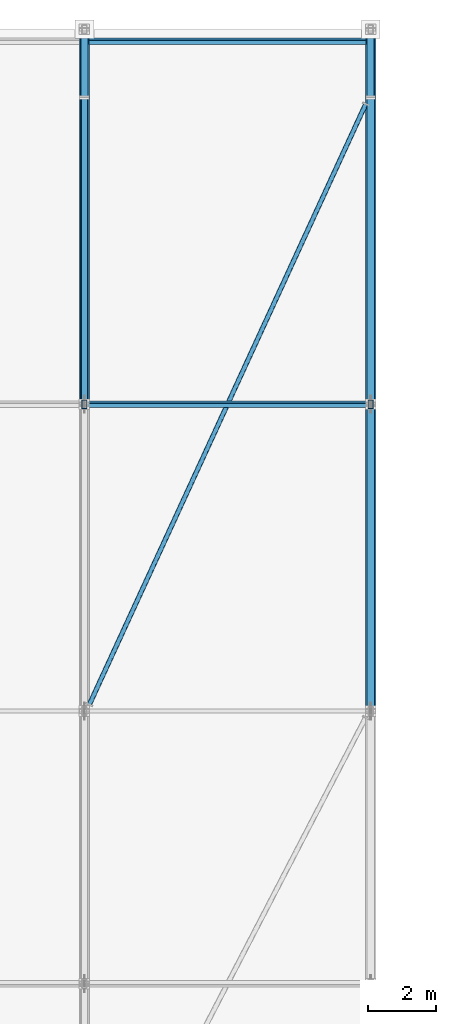
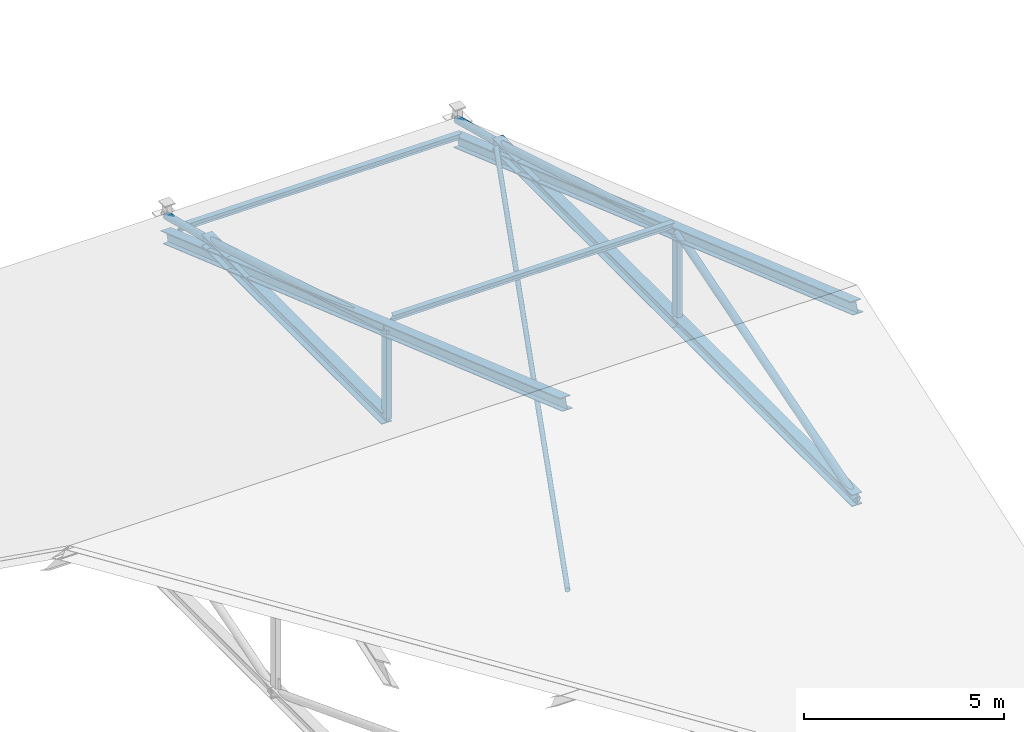
# One storey, part 18 of 57: 13 members, 2 beams.
"""IFC4 building model written with IfcOpenShell, lengths in metres."""

from ifc_helpers import new_model, si_unit, direction, frame, origin, origin_2d, place, context, subcontext, project, spatial, hollow_rectangle, hollow_circle, i_section, extrude, material, material_profile, profile_set, type_object, element, save


model = new_model("IFC4")

# Units and contexts
model_context = context("Model", 3, precision=1e-05, world=origin(), true_north=direction((0.0, 1.0)))
body_context = subcontext(model_context, "Body", "Model", "MODEL_VIEW")
ifc_project = project(units=[si_unit("LENGTHUNIT", "METRE"), si_unit("AREAUNIT", "SQUARE_METRE"), si_unit("VOLUMEUNIT", "CUBIC_METRE"), si_unit("PLANEANGLEUNIT", "RADIAN"), si_unit("MASSUNIT", "GRAM", prefix="KILO")], contexts=[model_context])

# Site, building, storey
site_placement = place(None, origin())
site = spatial("IfcSite", under=ifc_project, at=site_placement, CompositionType="ELEMENT")
building_placement = place(site_placement, origin())
building = spatial("IfcBuilding", under=site, at=building_placement, Name="Kelarvand Opera House", CompositionType="ELEMENT")
storey_placement = place(building_placement, frame((0.0, 0.0, 33.60009765625)))
storey = spatial("IfcBuildingStorey", under=building, at=storey_placement, Name="Roof", CompositionType="ELEMENT", Elevation=33.60009765625)

# Members
ifc_material = material(Name="Steel S355", Category="steel")
ifc_material_profile_1 = material_profile(ifc_material, hollow_circle(Radius=0.06982421875, WallThickness=0.00634765625, at=origin_2d()), Name="CHS 139.7x6.3", Category="steel")
ifc_profile_set_1 = profile_set([ifc_material_profile_1], Name="Steel S355")
member_type_1 = type_object("IfcMemberType", Name="Structural Brace CHS 139.7x6.3 BR-CHS140", PredefinedType="BRACE", material=ifc_profile_set_1)
member_1_placement = place(storey_placement, frame((42.75, 105.199951171875, -13.580078125), z_axis=(0.418078246555, 0.908411019174, 0.0), x_axis=(-0.908411019174, 0.418078246555, 0.0)))
element("IfcMember", 1, at=member_1_placement, inside=storey, type_object=member_type_1, Name="V3 Roof Wind Brace 5.2", PredefinedType="BRACE", context=body_context, shape_type="SweptSolid", body=[
    extrude(hollow_circle(Radius=0.06982421875, WallThickness=0.00634765625, at=origin_2d()), origin(), (0.0, 0.0, 1.0), 19.37451171875),
])
ifc_material_profile_2 = material_profile(ifc_material, hollow_circle(Radius=0.109619140625, WallThickness=0.010009765625, at=origin_2d()), Name="CHS 219.1x10.0", Category="steel")
ifc_profile_set_2 = profile_set([ifc_material_profile_2], Name="Steel S355")
member_type_2 = type_object("IfcMemberType", Name="Structural Brace CHS 219.1x10.0 BR-CHS219", PredefinedType="BRACE", material=ifc_profile_set_2)
member_2_placement = place(storey_placement, frame((42.60009765625, 125.0, -14.10009765625), z_axis=(0.0, -0.967820204991, 0.251642704667), x_axis=(1.0, 0.0, 0.0)))
element("IfcMember", 2, at=member_2_placement, inside=storey, type_object=member_type_2, Name="V3 Roof Truss 5 Support Tie N", PredefinedType="BRACE", context=body_context, shape_type="SweptSolid", body=[
    extrude(hollow_circle(Radius=0.109619140625, WallThickness=0.010009765625, at=origin_2d()), origin(), (0.0, 0.0, 1.0), 2.06640625),
])
member_3_placement = place(storey_placement, frame((42.60009765625, 114.0, -10.852783203125), z_axis=(0.0, 0.957023749403, -0.290009556874), x_axis=(-1.0, 0.0, 0.0)))
element("IfcMember", 3, at=member_3_placement, inside=storey, type_object=member_type_2, Name="V3 Roof Truss 5 Web Diagonal 4", PredefinedType="BRACE", context=body_context, shape_type="SweptSolid", body=[
    extrude(hollow_circle(Radius=0.109619140625, WallThickness=0.010009765625, at=origin_2d()), origin(), (0.0, 0.0, 1.0), 9.404052734375),
])
member_4_placement = place(storey_placement, frame((51.0, 125.0, -14.10009765625), z_axis=(0.0, -0.967820204991, 0.251642704667), x_axis=(1.0, 0.0, 0.0)))
element("IfcMember", 4, at=member_4_placement, inside=storey, type_object=member_type_2, Name="V3 Roof Truss 6 Support Tie N", PredefinedType="BRACE", context=body_context, shape_type="SweptSolid", body=[
    extrude(hollow_circle(Radius=0.109619140625, WallThickness=0.010009765625, at=origin_2d()), origin(), (0.0, 0.0, 1.0), 2.06640625),
])
for number, where, z_axis, x_axis, name in (
    (5, (51.0, 105.0, -13.580078125), (0.0, 0.957023749403, 0.290009556874), (-1.0, 0.0, 0.0), "V3 Roof Truss 6 Web Diagonal 3"),
    (6, (51.0, 114.0, -10.852783203125), (0.0, 0.957023749403, -0.290009556874), (-1.0, 0.0, 0.0), "V3 Roof Truss 6 Web Diagonal 4"),
):
    element("IfcMember", number, at=place(storey_placement, frame(where, z_axis=z_axis, x_axis=x_axis)), inside=storey, type_object=member_type_2, Name=name, PredefinedType="BRACE", context=body_context, shape_type="SweptSolid", body=[
        extrude(hollow_circle(Radius=0.109619140625, WallThickness=0.010009765625, at=origin_2d()), origin(), (0.0, 0.0, 1.0), 9.404052734375),
    ])
ifc_material_profile_3 = material_profile(ifc_material, i_section(OverallWidth=0.300048828125, OverallDepth=0.360107421875, WebThickness=0.012451171875, FlangeThickness=0.0224609375, at=origin_2d()), Name="HEB 360", Category="steel")
ifc_profile_set_3 = profile_set([ifc_material_profile_3], Name="Steel S355")
member_type_3 = type_object("IfcMemberType", Name="Structural Chord HEB 360 CH-HEB360", PredefinedType="CHORD", material=ifc_profile_set_3)
for number, where, z_axis, x_axis, name in (
    (7, (42.60009765625, 114.0, -13.580078125), (0.0, 1.0, 0.0), (-1.0, 0.0, 0.0), "V3 Roof Truss 5 Bottom Chord 4"),
    (8, (51.0, 105.0, -13.580078125), (0.0, 1.0, 0.0), (-1.0, 0.0, 0.0), "V3 Roof Truss 6 Bottom Chord 3"),
    (9, (51.0, 114.0, -13.580078125), (0.0, 1.0, 0.0), (-1.0, 0.0, 0.0), "V3 Roof Truss 6 Bottom Chord 4"),
):
    element("IfcMember", number, at=place(storey_placement, frame(where, z_axis=z_axis, x_axis=x_axis)), inside=storey, type_object=member_type_3, Name=name, PredefinedType="CHORD", context=body_context, shape_type="SweptSolid", body=[
        extrude(i_section(OverallWidth=0.300048828125, OverallDepth=0.360107421875, WebThickness=0.012451171875, FlangeThickness=0.0224609375, at=origin_2d()), origin(), (0.0, 0.0, 1.0), 9.0),
    ])
ifc_material_profile_4 = material_profile(ifc_material, hollow_rectangle(XDim=0.14990234375, YDim=0.25, WallThickness=0.010009765625, at=origin_2d()), Name="RHS 250x150x10.0", Category="steel")
ifc_profile_set_4 = profile_set([ifc_material_profile_4], Name="Steel S355")
member_type_4 = type_object("IfcMemberType", Name="Structural Post RHS 250x150x10.0 PS-RHS250", PredefinedType="POST", material=ifc_profile_set_4)
for number, where, z_axis, x_axis, name in (
    (10, (42.60009765625, 114.0, -13.580078125), (0.0, 0.0, 1.0), (1.0, 0.0, 0.0), "V3 Roof Truss 5 Post 3"),
    (11, (51.0, 114.0, -13.580078125), (0.0, 0.0, 1.0), (1.0, 0.0, 0.0), "V3 Roof Truss 6 Post 3"),
):
    element("IfcMember", number, at=place(storey_placement, frame(where, z_axis=z_axis, x_axis=x_axis)), inside=storey, type_object=member_type_4, Name=name, PredefinedType="POST", context=body_context, shape_type="SweptSolid", body=[
        extrude(hollow_rectangle(XDim=0.14990234375, YDim=0.25, WallThickness=0.010009765625, at=origin_2d()), origin(), (0.0, 0.0, 1.0), 2.727294921875),
    ])
ifc_material_profile_5 = material_profile(ifc_material, i_section(OverallWidth=0.1201171875, OverallDepth=0.239990234375, WebThickness=0.006103515625, FlangeThickness=0.009765625, at=origin_2d()), Name="IPE 240", Category="steel")
ifc_profile_set_5 = profile_set([ifc_material_profile_5], Name="Steel S355")
member_type_5 = type_object("IfcMemberType", Name="Structural Purlin IPE 240 PR-IPE240", PredefinedType="PURLIN", material=ifc_profile_set_5)
for number, where, z_axis, x_axis, name in (
    (12, (42.739990234375, 114.0, -10.576904296875), (1.0, 0.0, 0.0), (0.0, 0.943858622852, 0.330349663339), "V3 Roof Purlin 5.5"),
    (13, (42.739990234375, 124.64990234375, -14.304443359375), (1.0, 0.0, 0.0), (0.0, 0.943858622852, 0.330349663339), "V3 Roof Purlin 5.6"),
):
    element("IfcMember", number, at=place(storey_placement, frame(where, z_axis=z_axis, x_axis=x_axis)), inside=storey, type_object=member_type_5, Name=name, PredefinedType="PURLIN", context=body_context, shape_type="SweptSolid", body=[
        extrude(i_section(OverallWidth=0.1201171875, OverallDepth=0.239990234375, WebThickness=0.006103515625, FlangeThickness=0.009765625, at=origin_2d()), origin(), (0.0, 0.0, 1.0), 8.1201171875),
    ])

# Beams
ifc_material_profile_6 = material_profile(ifc_material, i_section(OverallWidth=0.300048828125, OverallDepth=0.360107421875, WebThickness=0.012451171875, FlangeThickness=0.0224609375, at=origin_2d()), Name="HEB 360", Category="steel")
ifc_profile_set_6 = profile_set([ifc_material_profile_6], Name="Steel S355")
beam_type = type_object("IfcBeamType", Name="Structural Roof Truss HEB 360 RT-HEB360", PredefinedType="USERDEFINED", material=ifc_profile_set_6)
for number, where, z_axis, x_axis, name in (
    (14, (42.60009765625, 105.0, -7.702880859375), (0.0, 0.943858356366, -0.330350424728), (-1.0, 0.0, 0.0), "V3 Roof Truss 5 Top Chord Rafter 2"),
    (15, (51.0, 105.0, -7.702880859375), (0.0, 0.943858356366, -0.330350424728), (-1.0, 0.0, 0.0), "V3 Roof Truss 6 Top Chord Rafter 2"),
):
    element("IfcBeam", number, at=place(storey_placement, frame(where, z_axis=z_axis, x_axis=x_axis)), inside=storey, type_object=beam_type, Name=name, ObjectType="ROOF TRUSS", PredefinedType="USERDEFINED", context=body_context, shape_type="SweptSolid", body=[
        extrude(i_section(OverallWidth=0.300048828125, OverallDepth=0.360107421875, WebThickness=0.012451171875, FlangeThickness=0.0224609375, at=origin_2d()), origin(), (0.0, 0.0, 1.0), 21.189697265625),
    ])

save(model, "model.ifc")
